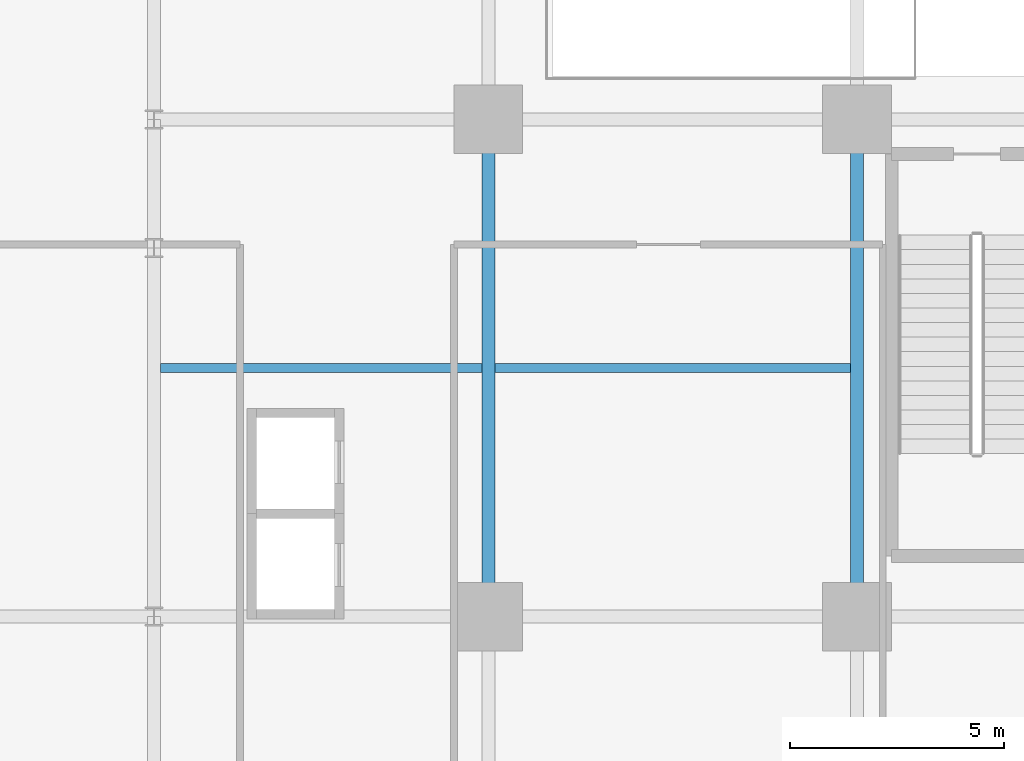
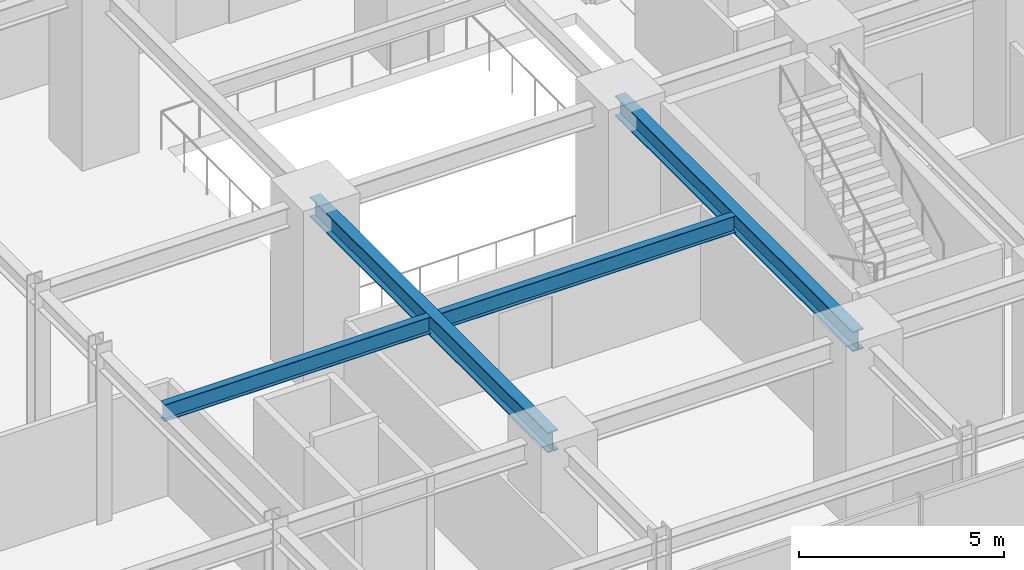
# One storey, part 7 of 32: 4 beams.
"""IFC4 building model written with IfcOpenShell, lengths in metres."""

from ifc_helpers import new_model, si_unit, direction, frame, origin, origin_2d, place, context, subcontext, project, spatial, i_section, extrude, source, transform, mapped, material, material_profile, profile_set, type_object, element, save


model = new_model("IFC4")

# Units and contexts
model_context = context("Model", 3, precision=1e-05, world=origin(), true_north=direction((0.0, 1.0)))
body_context = subcontext(model_context, "Body", "Model", "MODEL_VIEW")
ifc_project = project(units=[si_unit("LENGTHUNIT", "METRE"), si_unit("AREAUNIT", "SQUARE_METRE"), si_unit("VOLUMEUNIT", "CUBIC_METRE"), si_unit("PLANEANGLEUNIT", "RADIAN"), si_unit("MASSUNIT", "GRAM", prefix="KILO")], contexts=[model_context])

# Site, building, storey
site_placement = place(None, origin())
site = spatial("IfcSite", under=ifc_project, at=site_placement, CompositionType="ELEMENT")
building_placement = place(site_placement, origin())
building = spatial("IfcBuilding", under=site, at=building_placement, Name="Nahalor Promenade Grand Hotel", CompositionType="ELEMENT")
storey_placement = place(building_placement, frame((0.0, 0.0, 5.39990234375)))
storey = spatial("IfcBuildingStorey", under=building, at=storey_placement, Name="L01", CompositionType="ELEMENT", Elevation=5.39990234375)

# Beams
ifc_material = material(Name="Steel S355JR", Category="steel")
ifc_material_profile_1 = material_profile(ifc_material, i_section(OverallWidth=0.3, OverallDepth=0.6, WebThickness=0.0155, FlangeThickness=0.03, at=origin_2d()), Name="HEB 600")
ifc_profile_set_1 = profile_set([ifc_material_profile_1], Name="Steel S355JR")
beam_type_1 = type_object("IfcBeamType", Name="Beam-Girder-HEB600", PredefinedType="BEAM", material=ifc_profile_set_1)
shared_shape_1 = source(origin(), body_context, "Body", "SweptSolid", [
    extrude(i_section(OverallWidth=0.3, OverallDepth=0.6, WebThickness=0.0155, FlangeThickness=0.03, at=origin_2d()), origin(), (0.0, 0.0, 1.0), 11.60009765625),
])
for number, where, z_axis, x_axis, name in (
    (1, (-17.0, -17.0, 4.780029296875), (0.0, 1.0, 0.0), (-1.0, 0.0, 0.0), "BM-L01-GY-0-1"),
    (2, (-8.39990234375, -17.0, 4.780029296875), (0.0, 1.0, 0.0), (-1.0, 0.0, 0.0), "BM-L01-GY-1-1"),
):
    element("IfcBeam", number, at=place(storey_placement, frame(where, z_axis=z_axis, x_axis=x_axis)), inside=storey, type_object=beam_type_1, Name=name, PredefinedType="BEAM", context=body_context, shape_type="MappedRepresentation", body=[
        mapped(shared_shape_1, transform((0.0, 0.0, 0.0), scale=1.0)),
    ])
ifc_material_profile_2 = material_profile(ifc_material, i_section(OverallWidth=0.2, OverallDepth=0.5, WebThickness=0.0102, FlangeThickness=0.016, at=origin_2d()), Name="IPE 500")
ifc_profile_set_2 = profile_set([ifc_material_profile_2], Name="Steel S355JR")
beam_type_2 = type_object("IfcBeamType", Name="Beam-Joist-IPE500", PredefinedType="JOIST", material=ifc_profile_set_2)
shared_shape_2 = source(origin(), body_context, "Body", "SweptSolid", [
    extrude(i_section(OverallWidth=0.2, OverallDepth=0.5, WebThickness=0.0102, FlangeThickness=0.016, at=origin_2d()), origin(), (0.0, 0.0, 1.0), 7.5),
])
beam_1_placement = place(storey_placement, frame((-24.64990234375, -11.199951171875, 4.830078125), z_axis=(1.0, 0.0, 0.0), x_axis=(0.0, 1.0, 0.0)))
element("IfcBeam", 3, at=beam_1_placement, inside=storey, type_object=beam_type_2, Name="BM-L01-JSW-0-0", PredefinedType="JOIST", context=body_context, shape_type="MappedRepresentation", body=[
    mapped(shared_shape_2, transform((0.0, 0.0, 0.0), scale=1.0)),
])
shared_shape_3 = source(origin(), body_context, "Body", "SweptSolid", [
    extrude(i_section(OverallWidth=0.2, OverallDepth=0.5, WebThickness=0.0102, FlangeThickness=0.016, at=origin_2d()), origin(), (0.0, 0.0, 1.0), 8.300048828125),
])
beam_2_placement = place(storey_placement, frame((-16.85009765625, -11.199951171875, 4.830078125), z_axis=(1.0, 0.0, 0.0), x_axis=(0.0, 1.0, 0.0)))
element("IfcBeam", 4, at=beam_2_placement, inside=storey, type_object=beam_type_2, Name="BM-L01-JSW-0-1", PredefinedType="JOIST", context=body_context, shape_type="MappedRepresentation", body=[
    mapped(shared_shape_3, transform((0.0, 0.0, 0.0), scale=1.0)),
])

save(model, "model.ifc")
